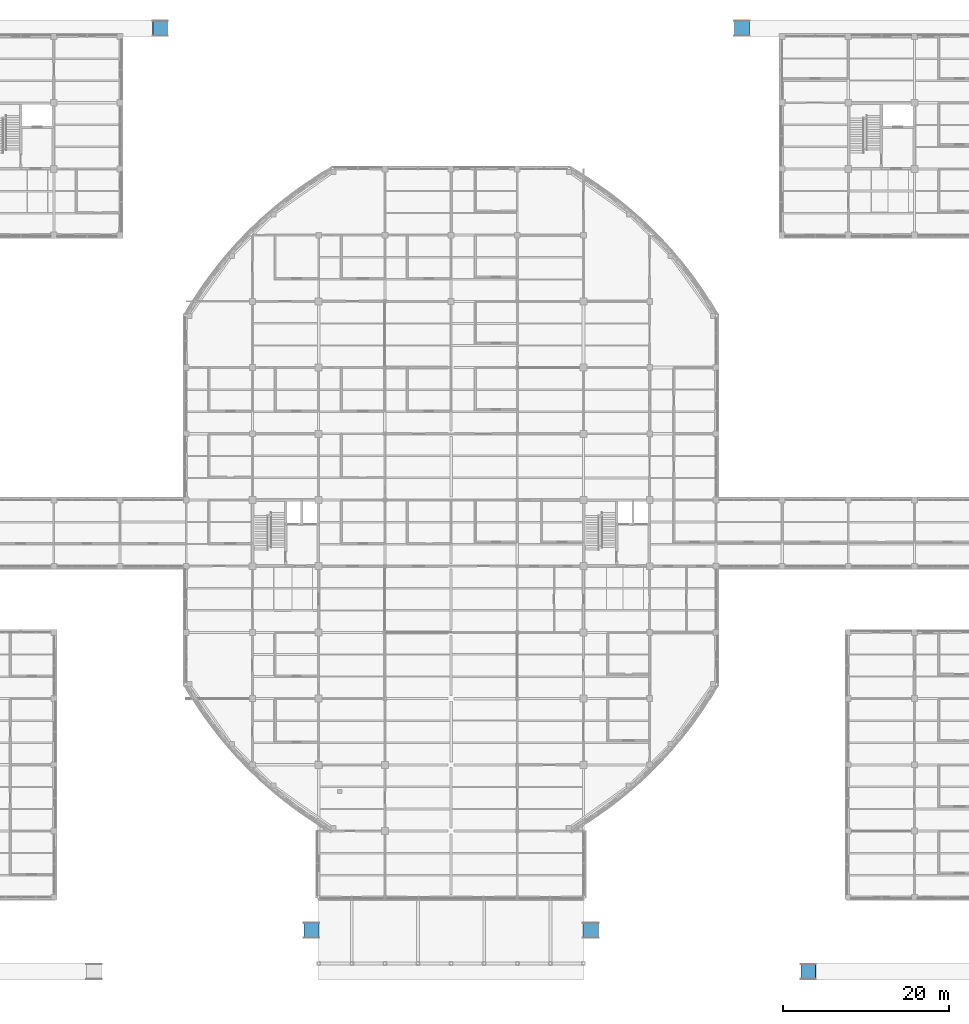
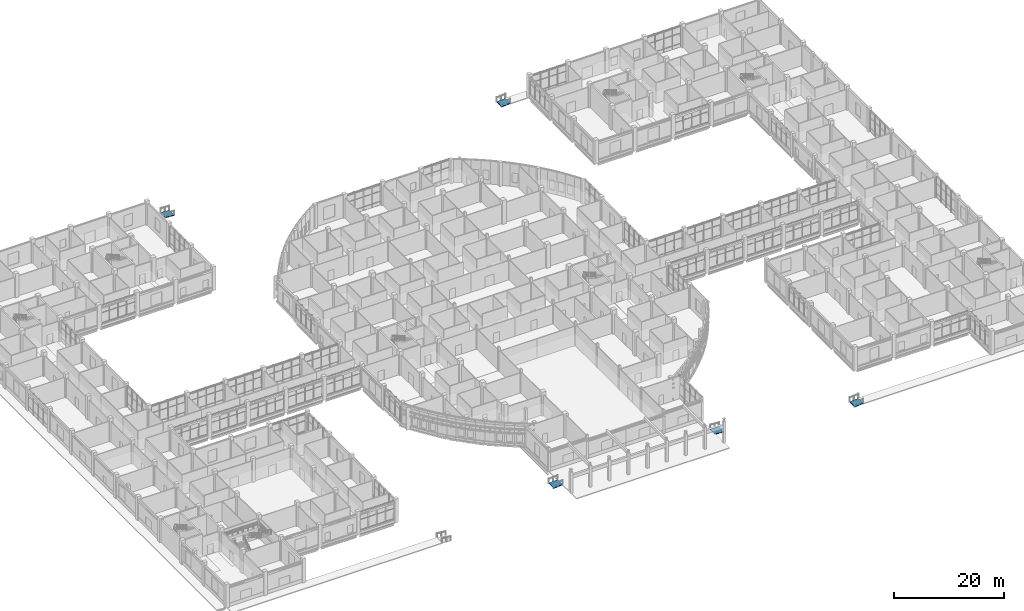
# One storey, part 83 of 105: 5 ramp flights, 5 elements without a shape of their own.
"""IFC4 building model written with IfcOpenShell, lengths in metres."""

from ifc_helpers import new_model, si_unit, derived_unit, direction, frame, origin, place, context, subcontext, project, spatial, polyline, outline, extrude, material, layer, layer_set, type_object, element, aggregate, save


model = new_model("IFC4")

# Units and contexts
model_context = context("Model", 3, precision=1e-05, world=origin(), true_north=direction((0.0, 1.0)))
body_context = subcontext(model_context, "Body", "Model", "MODEL_VIEW")
ifc_project = project(units=[si_unit("LENGTHUNIT", "METRE"), si_unit("AREAUNIT", "SQUARE_METRE"), si_unit("VOLUMEUNIT", "CUBIC_METRE"), si_unit("PLANEANGLEUNIT", "RADIAN"), si_unit("MASSUNIT", "GRAM", prefix="KILO"), derived_unit("THERMALTRANSMITTANCEUNIT", [(si_unit("MASSUNIT", "GRAM", prefix="KILO"), 1), (si_unit("TIMEUNIT", "SECOND"), -3), (si_unit("THERMODYNAMICTEMPERATUREUNIT", "KELVIN"), -1)])], contexts=[model_context])

# Site, building, storey
site_placement = place(None, origin())
site = spatial("IfcSite", under=ifc_project, at=site_placement, CompositionType="ELEMENT")
building_placement = place(site_placement, origin())
building = spatial("IfcBuilding", under=site, at=building_placement, Name="Veyamyaing Civic Hall", CompositionType="ELEMENT")
storey_placement = place(building_placement, origin())
storey = spatial("IfcBuildingStorey", under=building, at=storey_placement, Name="L00", CompositionType="ELEMENT", Elevation=0.0)

# Ramp, ramp flight
ifc_material = material(Name="Concrete C40/50", Category="concrete")
ramp_type = type_object("IfcRampType", Name="RMP-01", PredefinedType="STRAIGHT_RUN_RAMP", material=ifc_material)
ramp_1_placement = place(storey_placement, origin())
ramp_1 = element("IfcRamp", 1, at=ramp_1_placement, inside=storey, type_object=ramp_type, Name="Accessible pedestrian entry ramp R-02", PredefinedType="STRAIGHT_RUN_RAMP")
ifc_layer = layer(ifc_material, 0.179931640625, Name="Concrete C40/50")
ifc_layer_set = layer_set([ifc_layer], Name="Concrete C40/50")
ramp_flight_type = type_object("IfcRampFlightType", Name="RMF-01", PredefinedType="STRAIGHT", material=ifc_layer_set)
ramp_flight_1_placement = place(storey_placement, frame((130.25, -0.10009765625, -0.14990234375), z_axis=(-0.082989550564, 0.0, 0.996550417439), x_axis=(0.996550417439, 0.0, 0.082989550564)))
ramp_flight_1 = element("IfcRampFlight", 2, at=ramp_flight_1_placement, type_object=ramp_flight_type, Name="Accessible ramp flight R-02.1", PredefinedType="STRAIGHT", context=body_context, shape_type="SweptSolid", body=[
    extrude(outline(polyline([(0.0, 0.0), (1.8062797392142584, 0.0), (1.8062797392142584, -1.7998046875000004), (0.0, -1.7998046875000004), (0.0, 0.0)])), origin(), (0.0, 0.0, -1.0), 0.179931640625),
])
aggregate(ramp_1, [ramp_flight_1])

ramp_2_placement = place(storey_placement, origin())
ramp_2 = element("IfcRamp", 3, at=ramp_2_placement, inside=storey, type_object=ramp_type, Name="Accessible pedestrian entry ramp R-03", PredefinedType="STRAIGHT_RUN_RAMP")
ramp_flight_2_placement = place(storey_placement, frame((70.199951171875, 3.10009765625, -0.14990234375), z_axis=(-0.08075936232, 0.0, 0.996733628106), x_axis=(0.996733628106, 0.0, 0.08075936232)))
ramp_flight_2 = element("IfcRampFlight", 4, at=ramp_flight_2_placement, type_object=ramp_flight_type, Name="Accessible ramp flight R-03.1", PredefinedType="STRAIGHT", context=body_context, shape_type="SweptSolid", body=[
    extrude(outline(polyline([(0.0, 0.0), (1.8561605669562873, 0.0), (1.8561605669562873, 1.7998046875), (0.0, 1.7998046875), (0.0, 0.0)])), origin(), (0.0, 0.0, -1.0), 0.179931640625),
])
aggregate(ramp_2, [ramp_flight_2])

ramp_3_placement = place(storey_placement, origin())
ramp_3 = element("IfcRamp", 5, at=ramp_3_placement, inside=storey, type_object=ramp_type, Name="Accessible pedestrian entry ramp R-04", PredefinedType="STRAIGHT_RUN_RAMP")
ramp_flight_3_placement = place(storey_placement, frame((105.800048828125, 4.89990234375, -0.14990234375), z_axis=(0.08075936232, 0.0, 0.996733628106), x_axis=(-0.996733628106, 0.0, 0.08075936232)))
ramp_flight_3 = element("IfcRampFlight", 6, at=ramp_flight_3_placement, type_object=ramp_flight_type, Name="Accessible ramp flight R-04.1", PredefinedType="STRAIGHT", context=body_context, shape_type="SweptSolid", body=[
    extrude(outline(polyline([(0.0, 0.0), (1.8561605669562873, 0.0), (1.8561605669562873, 1.7998046875), (0.0, 1.7998046875), (0.0, 0.0)])), origin(), (0.0, 0.0, -1.0), 0.179931640625),
])
aggregate(ramp_3, [ramp_flight_3])

ramp_4_placement = place(storey_placement, origin())
ramp_4 = element("IfcRamp", 7, at=ramp_4_placement, inside=storey, type_object=ramp_type, Name="Accessible pedestrian entry ramp R-05", PredefinedType="STRAIGHT_RUN_RAMP")
ramp_flight_4_placement = place(storey_placement, frame((53.75, 112.10009765625, -0.14990234375), z_axis=(0.082989550564, 0.0, 0.996550417439), x_axis=(-0.996550417439, 0.0, 0.082989550564)))
ramp_flight_4 = element("IfcRampFlight", 8, at=ramp_flight_4_placement, type_object=ramp_flight_type, Name="Accessible ramp flight R-05.1", PredefinedType="STRAIGHT", context=body_context, shape_type="SweptSolid", body=[
    extrude(outline(polyline([(0.0, 0.0), (1.8062797392142584, 0.0), (1.8062797392142584, -1.7998046875000004), (0.0, -1.7998046875000004), (0.0, 0.0)])), origin(), (0.0, 0.0, -1.0), 0.179931640625),
])
aggregate(ramp_4, [ramp_flight_4])

ramp_5_placement = place(storey_placement, origin())
ramp_5 = element("IfcRamp", 9, at=ramp_5_placement, inside=storey, type_object=ramp_type, Name="Accessible pedestrian entry ramp R-06", PredefinedType="STRAIGHT_RUN_RAMP")
ramp_flight_5_placement = place(storey_placement, frame((122.25, 113.89990234375, -0.14990234375), z_axis=(-0.082989550564, 0.0, 0.996550417439), x_axis=(0.996550417439, 0.0, 0.082989550564)))
ramp_flight_5 = element("IfcRampFlight", 10, at=ramp_flight_5_placement, type_object=ramp_flight_type, Name="Accessible ramp flight R-06.1", PredefinedType="STRAIGHT", context=body_context, shape_type="SweptSolid", body=[
    extrude(outline(polyline([(0.0, 0.0), (1.8062797392142584, 0.0), (1.8062797392142584, -1.7998046875000004), (0.0, -1.7998046875000004), (0.0, 0.0)])), origin(), (0.0, 0.0, -1.0), 0.179931640625),
])
aggregate(ramp_5, [ramp_flight_5])

save(model, "model.ifc")
